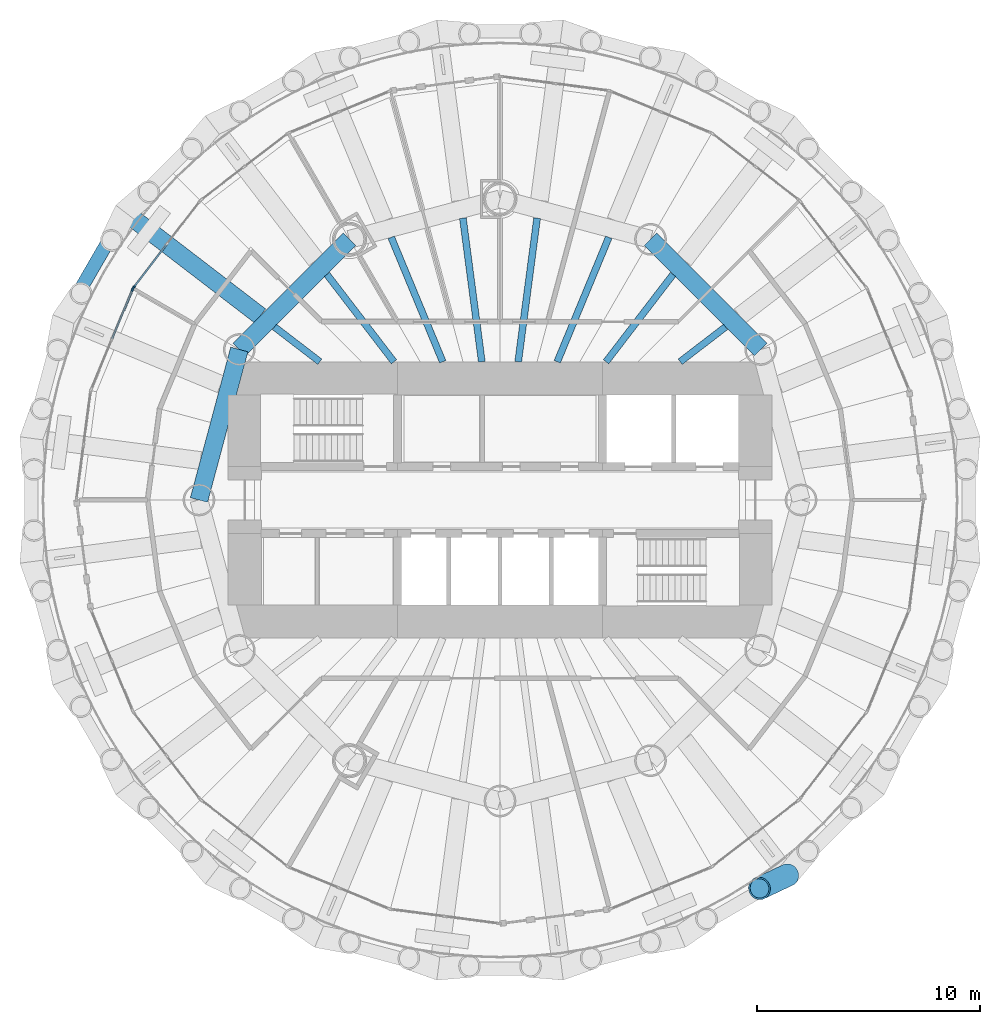
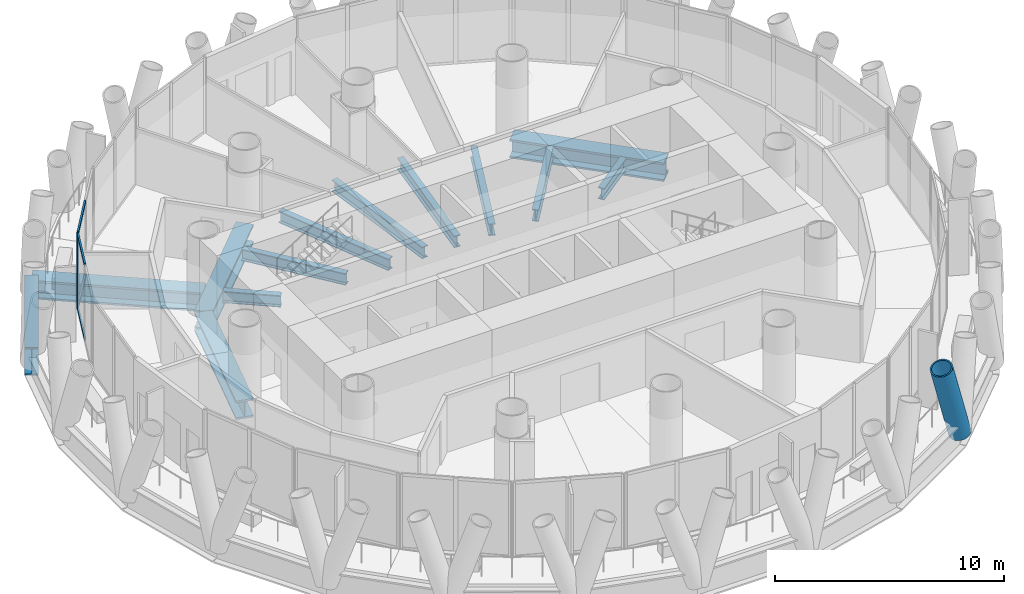
# One storey, part 4 of 16: 13 beams, 7 members, 2 elements without a shape of their own.
"""IFC4 building model written with IfcOpenShell, lengths in metres."""

import ifcopenshell
import ifcopenshell.guid

model = None  # the IFC model being written
_history = None  # IfcOwnerHistory: only IFC2X3 demands one
_inside = {}  # id of a spatial element -> (the spatial element, [elements in it])
_under = {}  # id of a project, library or spatial element -> (it, [spatial elements below it])
_declared = {}  # id of a project -> (the project, [libraries it declares])
_typed = {}  # id of a type object -> (the type object, [elements of that type])
_made_of = {}  # id of a material, layer set ... -> (it, [elements and type objects made of it])


def new_model(schema):
    """Start an empty IFC model of exactly this schema.

    Asked for "IFC4X3", IfcOpenShell would pick the latest addendum, in which some entities
    have other attributes; the version numbers below select the first issue.
    IFC2X3 requires an IfcOwnerHistory on every rooted entity: one is made here for all.
    """
    global model, _history
    if schema == "IFC4X3":
        model = ifcopenshell.file(schema_version=(4, 3, 0, 0))
    else:
        model = ifcopenshell.file(schema=schema)
    _inside.clear()
    _under.clear()
    _declared.clear()
    _typed.clear()
    _made_of.clear()
    _history = None
    if model.schema == "IFC2X3":
        org = make("IfcOrganization", Name="unknown")
        user = make(
            "IfcPersonAndOrganization",
            ThePerson=make("IfcPerson", FamilyName="unknown"),
            TheOrganization=org,
        )
        app = make(
            "IfcApplication",
            ApplicationDeveloper=org,
            Version="unknown",
            ApplicationFullName="unknown",
            ApplicationIdentifier="unknown",
        )
        _history = make(
            "IfcOwnerHistory",
            OwningUser=user,
            OwningApplication=app,
            ChangeAction="ADDED",
            CreationDate=0,
        )
    return model


def make(cls, **values):
    """One entity of the class cls with the attributes given. An attribute that is None is left unset."""
    return model.create_entity(
        cls, **{name: value for name, value in values.items() if value is not None}
    )


def rooted(cls, **values):
    """An entity with a GlobalId (a new one), such as an element, a storey or a relation."""
    return make(cls, GlobalId=ifcopenshell.guid.new(), OwnerHistory=_history, **values)


def si_unit(unit_type, name, prefix=None):
    """IfcSIUnit, for example si_unit("LENGTHUNIT", "METRE", prefix="MILLI")."""
    return make("IfcSIUnit", UnitType=unit_type, Prefix=prefix, Name=name)


def assignment(units):
    """IfcUnitAssignment: the units of a project."""
    return None if units is None else make("IfcUnitAssignment", Units=units)


def point(xyz):
    """IfcCartesianPoint."""
    return None if xyz is None else make("IfcCartesianPoint", Coordinates=xyz)


def direction(xyz):
    """IfcDirection."""
    return None if xyz is None else make("IfcDirection", DirectionRatios=xyz)


def frame(location, z_axis=None, x_axis=None):
    """IfcAxis2Placement3D, a coordinate frame: its origin and axes. An axis left out is left unset."""
    return make(
        "IfcAxis2Placement3D",
        Location=point(location),
        Axis=direction(z_axis),
        RefDirection=direction(x_axis),
    )


def frame_2d(location, x_axis=None):
    """IfcAxis2Placement2D, a coordinate frame in the plane: its origin and x axis."""
    return make(
        "IfcAxis2Placement2D", Location=point(location), RefDirection=direction(x_axis)
    )


def origin():
    """The frame at (0, 0, 0) with its axes left unset."""
    return frame((0.0, 0.0, 0.0))


def origin_2d():
    """The frame at (0, 0) in the plane with its x axis left unset."""
    return frame_2d((0.0, 0.0))


def place(relative_to, where):
    """IfcLocalPlacement: puts the frame where relative to a parent placement (None: the world)."""
    return make(
        "IfcLocalPlacement", PlacementRelTo=relative_to, RelativePlacement=where
    )


def context(
    kind, dimensions, precision=None, world=None, true_north=None, identifier=None
):
    """IfcGeometricRepresentationContext, for example the 3D "Model" context."""
    return make(
        "IfcGeometricRepresentationContext",
        ContextIdentifier=identifier,
        ContextType=kind,
        CoordinateSpaceDimension=dimensions,
        Precision=precision,
        WorldCoordinateSystem=world,
        TrueNorth=true_north,
    )


def subcontext(parent, identifier, kind, view, scale=None):
    """IfcGeometricRepresentationSubContext, for example "Body" below "Model"."""
    return make(
        "IfcGeometricRepresentationSubContext",
        ContextIdentifier=identifier,
        ContextType=kind,
        ParentContext=parent,
        TargetScale=scale,
        TargetView=view,
    )


def project(units=None, contexts=None):
    """IfcProject with its units and contexts."""
    return rooted(
        "IfcProject",
        Name="project",
        RepresentationContexts=contexts,
        UnitsInContext=assignment(units),
    )


def spatial(cls, under=None, at=None, **own):
    """A site, building, storey or space (cls), placed at a placement, below another one or the project."""
    s = rooted(cls, ObjectPlacement=at, **own)
    if under is not None:
        _under.setdefault(under.id(), (under, []))[1].append(s)
    return s


def profile(cls, at=None, kind="AREA", **sizes):
    """A parametric profile (cls). Its sizes go by their IFC names, for example OverallWidth=200.0."""
    return make(cls, ProfileType=kind, Position=at, **sizes)


def rectangle(**sizes):
    """IfcRectangleProfileDef."""
    return profile("IfcRectangleProfileDef", **sizes)


def hollow_circle(**sizes):
    """IfcCircleHollowProfileDef."""
    return profile("IfcCircleHollowProfileDef", **sizes)


def i_section(**sizes):
    """IfcIShapeProfileDef."""
    return profile("IfcIShapeProfileDef", **sizes)


def extrude(swept, where, along, depth):
    """IfcExtrudedAreaSolid: the profile swept, set in the frame where, extruded along a direction by depth."""
    return make(
        "IfcExtrudedAreaSolid",
        SweptArea=swept,
        Position=where,
        ExtrudedDirection=direction(along),
        Depth=depth,
    )


def shape(context_of_items, identifier, shape_type, items):
    """IfcShapeRepresentation: the items that make up one representation, for example the "Body"."""
    return make(
        "IfcShapeRepresentation",
        ContextOfItems=context_of_items,
        RepresentationIdentifier=identifier,
        RepresentationType=shape_type,
        Items=items,
    )


def material(Name=None, Category=None):
    """IfcMaterial."""
    return make("IfcMaterial", Name=Name, Category=Category)


def material_profile(
    of_material, cross_section, Name=None, Category=None, Priority=None
):
    """IfcMaterialProfile: a cross section and its material."""
    return make(
        "IfcMaterialProfile",
        Name=Name,
        Material=of_material,
        Profile=cross_section,
        Priority=Priority,
        Category=Category,
    )


def profile_set(profiles, Name=None, composite=None):
    """IfcMaterialProfileSet."""
    return make(
        "IfcMaterialProfileSet",
        Name=Name,
        MaterialProfiles=profiles,
        CompositeProfile=composite,
    )


def made_of(thing, what):
    """Note that an element or type object is made of a material, layer set ...; save() writes the relation."""
    if what is not None:
        _made_of.setdefault(what.id(), (what, []))[1].append(thing)
    return thing


def type_object(cls, material=None, **own):
    """A type object (cls), such as IfcWallType, which elements share."""
    return made_of(rooted(cls, **own), material)


def element(
    cls,
    number,
    at=None,
    inside=None,
    cuts=None,
    type_object=None,
    material=None,
    context=None,
    identifier="Body",
    shape_type=None,
    held_by="IfcProductDefinitionShape",
    body=None,
    shapes=None,
    **own,
):
    """One element of the class cls, such as IfcWall. Its Tag is "e" and its number.

    at: its placement. inside: the storey or other place that contains it. cuts: it is an
    opening in that element (IfcRelVoidsElement). A single representation is given by context,
    identifier, shape_type and body (its items); several are given by shapes. held_by: the class
    of the entity that holds the representations. save() writes the other relations.
    """
    e = rooted(cls, Tag="e%d" % number, ObjectPlacement=at, **own)
    if body is not None:
        shapes = [shape(context, identifier, shape_type, body)]
    if shapes is not None:
        e.Representation = make(held_by, Representations=shapes)
    if inside is not None:
        _inside.setdefault(inside.id(), (inside, []))[1].append(e)
    if cuts is not None:
        rooted(
            "IfcRelVoidsElement", RelatingBuildingElement=cuts, RelatedOpeningElement=e
        )
    if type_object is not None:
        _typed.setdefault(type_object.id(), (type_object, []))[1].append(e)
    return made_of(e, material)


def aggregate(whole, parts):
    """IfcRelAggregates: a whole, such as a stair, and the parts it consists of."""
    return rooted("IfcRelAggregates", RelatingObject=whole, RelatedObjects=parts)


def save(model, path):
    """Write the relations noted so far, then the file.

    IfcRelAggregates (storeys below a building ...), IfcRelContainedInSpatialStructure (elements
    in a storey), IfcRelDefinesByType, IfcRelAssociatesMaterial and IfcRelDeclares: one each for
    every whole, place, type object, material and project.
    """
    for whole, parts in _under.values():
        aggregate(whole, parts)
    for where, things in _inside.values():
        rooted(
            "IfcRelContainedInSpatialStructure",
            RelatedElements=things,
            RelatingStructure=where,
        )
    for kind, things in _typed.values():
        rooted("IfcRelDefinesByType", RelatedObjects=things, RelatingType=kind)
    for what, things in _made_of.values():
        rooted("IfcRelAssociatesMaterial", RelatedObjects=things, RelatingMaterial=what)
    for by, libraries in _declared.values():
        rooted("IfcRelDeclares", RelatingContext=by, RelatedDefinitions=libraries)
    model.write(path)


model = new_model("IFC4")

# Units and contexts
model_context = context("Model", 3, precision=1e-05, world=origin(), true_north=direction((0.0, 1.0)))
body_context = subcontext(model_context, "Body", "Model", "MODEL_VIEW")
ifc_project = project(units=[si_unit("LENGTHUNIT", "METRE"), si_unit("AREAUNIT", "SQUARE_METRE"), si_unit("VOLUMEUNIT", "CUBIC_METRE"), si_unit("PLANEANGLEUNIT", "RADIAN"), si_unit("MASSUNIT", "GRAM", prefix="KILO")], contexts=[model_context])

# Site, building, storey
site_placement = place(None, origin())
site = spatial("IfcSite", under=ifc_project, at=site_placement, CompositionType="ELEMENT")
building_placement = place(site_placement, origin())
building = spatial("IfcBuilding", under=site, at=building_placement, Name="Qaws Media Tower", CompositionType="ELEMENT")
storey_placement = place(building_placement, frame((0.0, 0.0, 269.60009765625)))
storey = spatial("IfcBuildingStorey", under=building, at=storey_placement, Name="L62", CompositionType="ELEMENT", Elevation=269.60009765625)

# Curtain wall, member
ifc_material_1 = material(Name="Aluminium and clear glass", Category="aluminium")
curtain_wall_type = type_object("IfcCurtainWallType", Name="Unitised curtain wall CW-D", PredefinedType="NOTDEFINED", material=ifc_material_1)
curtain_wall_1_placement = place(storey_placement, origin())
curtain_wall_1 = element("IfcCurtainWall", 1, at=curtain_wall_1_placement, inside=storey, type_object=curtain_wall_type, Name="CWD curtain wall L62-10", PredefinedType="NOTDEFINED")
ifc_material_2 = material(Name="Aluminium mullion", Category="aluminium")
ifc_material_profile_1 = material_profile(ifc_material_2, rectangle(XDim=0.080078125, YDim=0.199951171875, at=origin_2d()), Name="80x200")
ifc_profile_set_1 = profile_set([ifc_material_profile_1], Name="Aluminium mullion")
member_type_1 = type_object("IfcMemberType", Name="Curtain wall mullion 80x200", PredefinedType="MULLION", material=ifc_profile_set_1)
member_1_placement = place(storey_placement, frame((43.56982421875, 59.53173828125, 0.0), z_axis=(0.0, 0.0, 1.0), x_axis=(0.793353335436, -0.608761435337, 0.0)))
member_1 = element("IfcMember", 2, at=member_1_placement, type_object=member_type_1, Name="CWD mullion 3", PredefinedType="MULLION", context=body_context, shape_type="SweptSolid", body=[
    extrude(rectangle(XDim=0.080078125, YDim=0.199951171875, at=origin_2d()), origin(), (0.0, 0.0, 1.0), 4.039794921875),
])

curtain_wall_2_placement = place(storey_placement, origin())
curtain_wall_2 = element("IfcCurtainWall", 3, at=curtain_wall_2_placement, inside=storey, type_object=curtain_wall_type, Name="CWD curtain wall L62-11", PredefinedType="NOTDEFINED")
member_2_placement = place(storey_placement, frame((43.5302734375, 59.463134765625, 0.0), z_axis=(0.0, 0.0, 1.0), x_axis=(0.923879530254, -0.382683437815, 0.0)))
member_2 = element("IfcMember", 4, at=member_2_placement, type_object=member_type_1, Name="CWD mullion 1", PredefinedType="MULLION", context=body_context, shape_type="SweptSolid", body=[
    extrude(rectangle(XDim=0.080078125, YDim=0.199951171875, at=origin_2d()), origin(), (0.0, 0.0, 1.0), 4.039794921875),
])

# Member
ifc_material_3 = material(Name="Aluminium transom", Category="aluminium")
ifc_material_profile_2 = material_profile(ifc_material_3, rectangle(XDim=0.080078125, YDim=0.159912109375, at=origin_2d()), Name="80x160")
ifc_profile_set_2 = profile_set([ifc_material_profile_2], Name="Aluminium transom")
member_type_2 = type_object("IfcMemberType", Name="Curtain wall transom 80x160", PredefinedType="USERDEFINED", material=ifc_profile_set_2)
member_3_placement = place(storey_placement, frame((45.031005859375, 61.435791015625, 0.039794921875), z_axis=(-0.608785475942, -0.793334887851, 0.0), x_axis=(0.793334887851, -0.608785475942, 0.0)))
member_3 = element("IfcMember", 5, at=member_3_placement, type_object=member_type_2, Name="CWD transom 2.1", ObjectType="TRANSOM", PredefinedType="USERDEFINED", context=body_context, shape_type="SweptSolid", body=[
    extrude(rectangle(XDim=0.080078125, YDim=0.159912109375, at=origin_2d()), origin(), (0.0, 0.0, 1.0), 2.360107421875),
])

member_4_placement = place(storey_placement, frame((45.031005859375, 61.435791015625, 4.0), z_axis=(-0.608785475942, -0.793334887851, 0.0), x_axis=(0.793334887851, -0.608785475942, 0.0)))
member_4 = element("IfcMember", 6, at=member_4_placement, type_object=member_type_2, Name="CWD transom 2.2", ObjectType="TRANSOM", PredefinedType="USERDEFINED", context=body_context, shape_type="SweptSolid", body=[
    extrude(rectangle(XDim=0.080078125, YDim=0.159912109375, at=origin_2d()), origin(), (0.0, 0.0, 1.0), 2.360107421875),
])

aggregate(curtain_wall_1, [member_1, member_3, member_4])

member_5_placement = place(storey_placement, frame((43.514892578125, 59.426025390625, 0.039794921875), z_axis=(-0.38268986885, -0.923876866406, 0.0), x_axis=(0.923876866406, -0.38268986885, 0.0)))
member_5 = element("IfcMember", 7, at=member_5_placement, type_object=member_type_2, Name="CWD transom 1.1", ObjectType="TRANSOM", PredefinedType="USERDEFINED", context=body_context, shape_type="SweptSolid", body=[
    extrude(rectangle(XDim=0.080078125, YDim=0.159912109375, at=origin_2d()), origin(), (0.0, 0.0, 1.0), 2.35986328125),
])

member_6_placement = place(storey_placement, frame((43.514892578125, 59.426025390625, 4.0), z_axis=(-0.38268986885, -0.923876866406, 0.0), x_axis=(0.923876866406, -0.38268986885, 0.0)))
member_6 = element("IfcMember", 8, at=member_6_placement, type_object=member_type_2, Name="CWD transom 1.2", ObjectType="TRANSOM", PredefinedType="USERDEFINED", context=body_context, shape_type="SweptSolid", body=[
    extrude(rectangle(XDim=0.080078125, YDim=0.159912109375, at=origin_2d()), origin(), (0.0, 0.0, 1.0), 2.35986328125),
])

aggregate(curtain_wall_2, [member_2, member_5, member_6])

ifc_material_4 = material(Name="Steel S460", Category="steel")
ifc_material_profile_3 = material_profile(ifc_material_4, hollow_circle(Radius=0.508056640625, WallThickness=0.070068359375, at=origin_2d()), Name="CHS 1016x70")
ifc_profile_set_3 = profile_set([ifc_material_profile_3], Name="Steel S460")
member_type_3 = type_object("IfcMemberType", Name="Diagrid member CHS 1016x70", PredefinedType="USERDEFINED", material=ifc_profile_set_3)
member_7_placement = place(storey_placement, frame((72.90576171875, 33.180908203125, -0.91015625), z_axis=(-0.286067039423, -0.135534460852, 0.948575805551), x_axis=(0.428161221709, -0.903702367057, 0.0)))
element("IfcMember", 9, at=member_7_placement, inside=storey, type_object=member_type_3, Name="DG3 diagrid L62 B21", ObjectType="DIAGRID", PredefinedType="USERDEFINED", context=body_context, shape_type="SweptSolid", body=[
    extrude(hollow_circle(Radius=0.508056640625, WallThickness=0.070068359375, at=origin_2d()), origin(), (0.0, 0.0, 1.0), 4.427734375),
])

# Beams
ifc_material_5 = material(Name="Steel S460", Category="steel")
ifc_material_profile_4 = material_profile(ifc_material_5, i_section(OverallWidth=0.60009765625, OverallDepth=1.5, WebThickness=0.030029296875, FlangeThickness=0.080078125, at=origin_2d()), Name="PG 1500x600")
ifc_profile_set_4 = profile_set([ifc_material_profile_4], Name="Steel S460")
beam_type_1 = type_object("IfcBeamType", Name="Edge ring beam PG 1500x600", PredefinedType="BEAM", material=ifc_profile_set_4)
beam_1_placement = place(storey_placement, frame((43.180908203125, 62.90576171875, -0.91015625), z_axis=(-0.499982117899, -0.866035727774, 0.0), x_axis=(0.866035727774, -0.499982117899, 0.0)))
element("IfcBeam", 10, at=beam_1_placement, inside=storey, type_object=beam_type_1, Name="RB5 edge ring beam L62-10", PredefinedType="BEAM", context=body_context, shape_type="SweptSolid", body=[
    extrude(i_section(OverallWidth=0.60009765625, OverallDepth=1.5, WebThickness=0.030029296875, FlangeThickness=0.080078125, at=origin_2d()), origin(), (0.0, 0.0, 1.0), 5.534423828125),
])
ifc_material_6 = material(Name="Steel S460", Category="steel")
ifc_material_profile_5 = material_profile(ifc_material_6, i_section(OverallWidth=0.800048828125, OverallDepth=1.0, WebThickness=0.0400390625, FlangeThickness=0.10009765625, at=origin_2d()), Name="PG 1000x800")
ifc_profile_set_5 = profile_set([ifc_material_profile_5], Name="Steel S460")
beam_type_2 = type_object("IfcBeamType", Name="Inner ring girder PG 1000x800", PredefinedType="BEAM", material=ifc_profile_set_5)
for number, where, z_axis, x_axis, name in (
    (11, (71.69140625, 56.75, -0.66015625), (-0.707106781187, 0.707106781187, 0.0), (-0.707106781187, -0.707106781187, 0.0), "B3 inner ring beam L62 I02-I03"),
    (12, (53.25, 61.69140625, -0.66015625), (-0.707106781187, -0.707106781187, 0.0), (0.707106781187, -0.707106781187, 0.0), "B3 inner ring beam L62 I05-I06"),
):
    element("IfcBeam", number, at=place(storey_placement, frame(where, z_axis=z_axis, x_axis=x_axis)), inside=storey, type_object=beam_type_2, Name=name, PredefinedType="BEAM", context=body_context, shape_type="SweptSolid", body=[
        extrude(i_section(OverallWidth=0.800048828125, OverallDepth=1.0, WebThickness=0.0400390625, FlangeThickness=0.10009765625, at=origin_2d()), origin(), (0.0, 0.0, 1.0), 6.98828125),
    ])
beam_2_placement = place(storey_placement, frame((48.30859375, 56.75, -0.66015625), z_axis=(-0.258810593767, -0.965928090778, 0.0), x_axis=(0.965928090778, -0.258810593767, 0.0)))
element("IfcBeam", 13, at=beam_2_placement, inside=storey, type_object=beam_type_2, Name="B3 inner ring beam L62 I06-I07", PredefinedType="BEAM", context=body_context, shape_type="SweptSolid", body=[
    extrude(i_section(OverallWidth=0.800048828125, OverallDepth=1.0, WebThickness=0.0400390625, FlangeThickness=0.10009765625, at=origin_2d()), origin(), (0.0, 0.0, 1.0), 6.988037109375),
])
ifc_material_7 = material(Name="Steel S355", Category="steel")
ifc_material_profile_6 = material_profile(ifc_material_7, i_section(OverallWidth=0.304931640625, OverallDepth=0.6201171875, WebThickness=0.02099609375, FlangeThickness=0.0400390625, FilletRadius=0.027099609375, at=origin_2d()), Name="HE 600 M")
ifc_profile_set_6 = profile_set([ifc_material_profile_6], Name="Steel S355")
beam_type_3 = type_object("IfcBeamType", Name="Radial beam HE 600 M, core side", PredefinedType="BEAM", material=ifc_profile_set_6)
beam_3_placement = place(storey_placement, frame((68.080078125, 56.199951171875, -0.47021484375), z_axis=(0.793313603331, 0.608813211725, 0.0), x_axis=(-0.608813211725, 0.793313603331, 0.0)))
element("IfcBeam", 14, at=beam_3_placement, inside=storey, type_object=beam_type_3, Name="B2 radial beam L62 03", PredefinedType="BEAM", context=body_context, shape_type="SweptSolid", body=[
    extrude(i_section(OverallWidth=0.304931640625, OverallDepth=0.6201171875, WebThickness=0.02099609375, FlangeThickness=0.0400390625, FilletRadius=0.027099609375, at=origin_2d()), origin(), (0.0, 0.0, 1.0), 2.564453125),
])
beam_4_placement = place(storey_placement, frame((64.75732421875, 56.199951171875, -0.47021484375), z_axis=(0.60878257667, 0.793337112672, 0.0), x_axis=(-0.793337112672, 0.60878257667, 0.0)))
element("IfcBeam", 15, at=beam_4_placement, inside=storey, type_object=beam_type_3, Name="B2 radial beam L62 04", PredefinedType="BEAM", context=body_context, shape_type="SweptSolid", body=[
    extrude(i_section(OverallWidth=0.304931640625, OverallDepth=0.6201171875, WebThickness=0.02099609375, FlangeThickness=0.0400390625, FilletRadius=0.027099609375, at=origin_2d()), origin(), (0.0, 0.0, 1.0), 4.934326171875),
])
beam_5_placement = place(storey_placement, frame((62.568115234375, 56.199951171875, -0.47021484375), z_axis=(0.38269102823, 0.923876386165, 0.0), x_axis=(-0.923876386165, 0.38269102823, 0.0)))
element("IfcBeam", 16, at=beam_5_placement, inside=storey, type_object=beam_type_3, Name="B2 radial beam L62 05", PredefinedType="BEAM", context=body_context, shape_type="SweptSolid", body=[
    extrude(i_section(OverallWidth=0.304931640625, OverallDepth=0.6201171875, WebThickness=0.02099609375, FlangeThickness=0.0400390625, FilletRadius=0.027099609375, at=origin_2d()), origin(), (0.0, 0.0, 1.0), 6.038330078125),
])
for number, where, z_axis, x_axis, name in (
    (17, (60.816162109375, 56.199951171875, -0.47021484375), (0.130536183005, 0.991443546011, 0.0), (-0.991443546011, 0.130536183005, 0.0), "B2 radial beam L62 06"),
    (18, (59.183837890625, 56.199951171875, -0.47021484375), (-0.130536183005, 0.991443546011, 0.0), (-0.991443546011, -0.130536183005, 0.0), "B2 radial beam L62 07"),
):
    element("IfcBeam", number, at=place(storey_placement, frame(where, z_axis=z_axis, x_axis=x_axis)), inside=storey, type_object=beam_type_3, Name=name, PredefinedType="BEAM", context=body_context, shape_type="SweptSolid", body=[
        extrude(i_section(OverallWidth=0.304931640625, OverallDepth=0.6201171875, WebThickness=0.02099609375, FlangeThickness=0.0400390625, FilletRadius=0.027099609375, at=origin_2d()), origin(), (0.0, 0.0, 1.0), 6.49560546875),
    ])
beam_6_placement = place(storey_placement, frame((57.431884765625, 56.199951171875, -0.47021484375), z_axis=(-0.38269102823, 0.923876386165, 0.0), x_axis=(-0.923876386165, -0.38269102823, 0.0)))
element("IfcBeam", 19, at=beam_6_placement, inside=storey, type_object=beam_type_3, Name="B2 radial beam L62 08", PredefinedType="BEAM", context=body_context, shape_type="SweptSolid", body=[
    extrude(i_section(OverallWidth=0.304931640625, OverallDepth=0.6201171875, WebThickness=0.02099609375, FlangeThickness=0.0400390625, FilletRadius=0.027099609375, at=origin_2d()), origin(), (0.0, 0.0, 1.0), 6.038330078125),
])
beam_7_placement = place(storey_placement, frame((55.24267578125, 56.199951171875, -0.47021484375), z_axis=(-0.60878257667, 0.793337112672, 0.0), x_axis=(-0.793337112672, -0.60878257667, 0.0)))
element("IfcBeam", 20, at=beam_7_placement, inside=storey, type_object=beam_type_3, Name="B2 radial beam L62 09", PredefinedType="BEAM", context=body_context, shape_type="SweptSolid", body=[
    extrude(i_section(OverallWidth=0.304931640625, OverallDepth=0.6201171875, WebThickness=0.02099609375, FlangeThickness=0.0400390625, FilletRadius=0.027099609375, at=origin_2d()), origin(), (0.0, 0.0, 1.0), 4.934326171875),
])
beam_8_placement = place(storey_placement, frame((51.919921875, 56.199951171875, -0.47021484375), z_axis=(-0.793313603331, 0.608813211725, 0.0), x_axis=(-0.608813211725, -0.793313603331, 0.0)))
element("IfcBeam", 21, at=beam_8_placement, inside=storey, type_object=beam_type_3, Name="B2 radial beam L62 10", PredefinedType="BEAM", context=body_context, shape_type="SweptSolid", body=[
    extrude(i_section(OverallWidth=0.304931640625, OverallDepth=0.6201171875, WebThickness=0.02099609375, FlangeThickness=0.0400390625, FilletRadius=0.027099609375, at=origin_2d()), origin(), (0.0, 0.0, 1.0), 2.564453125),
])
ifc_material_8 = material(Name="Steel S460", Category="steel")
ifc_material_profile_7 = material_profile(ifc_material_8, i_section(OverallWidth=0.800048828125, OverallDepth=1.0, WebThickness=0.0400390625, FlangeThickness=0.10009765625, at=origin_2d()), Name="PG 1000x800")
ifc_profile_set_7 = profile_set([ifc_material_profile_7], Name="Steel S460")
beam_type_4 = type_object("IfcBeamType", Name="Radial girder PG 1000x800", PredefinedType="BEAM", material=ifc_profile_set_7)
beam_9_placement = place(storey_placement, frame((49.245361328125, 58.25244140625, -0.66015625), z_axis=(-0.793359547084, 0.608753340073, 0.0), x_axis=(-0.608753340073, -0.793359547084, 0.0)))
element("IfcBeam", 22, at=beam_9_placement, inside=storey, type_object=beam_type_4, Name="B1 radial beam L62 10", PredefinedType="BEAM", context=body_context, shape_type="SweptSolid", body=[
    extrude(i_section(OverallWidth=0.800048828125, OverallDepth=1.0, WebThickness=0.0400390625, FlangeThickness=0.10009765625, at=origin_2d()), origin(), (0.0, 0.0, 1.0), 7.64404296875),
])

save(model, "model.ifc")
